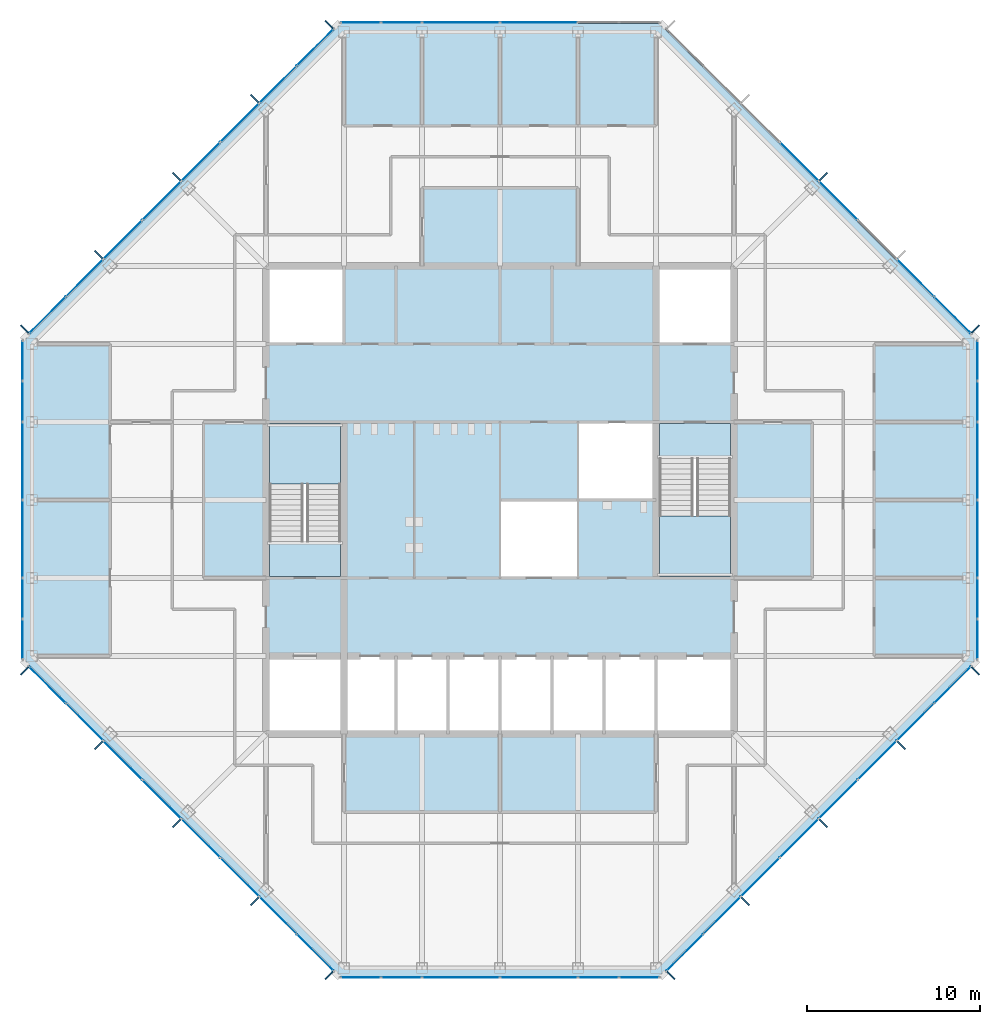
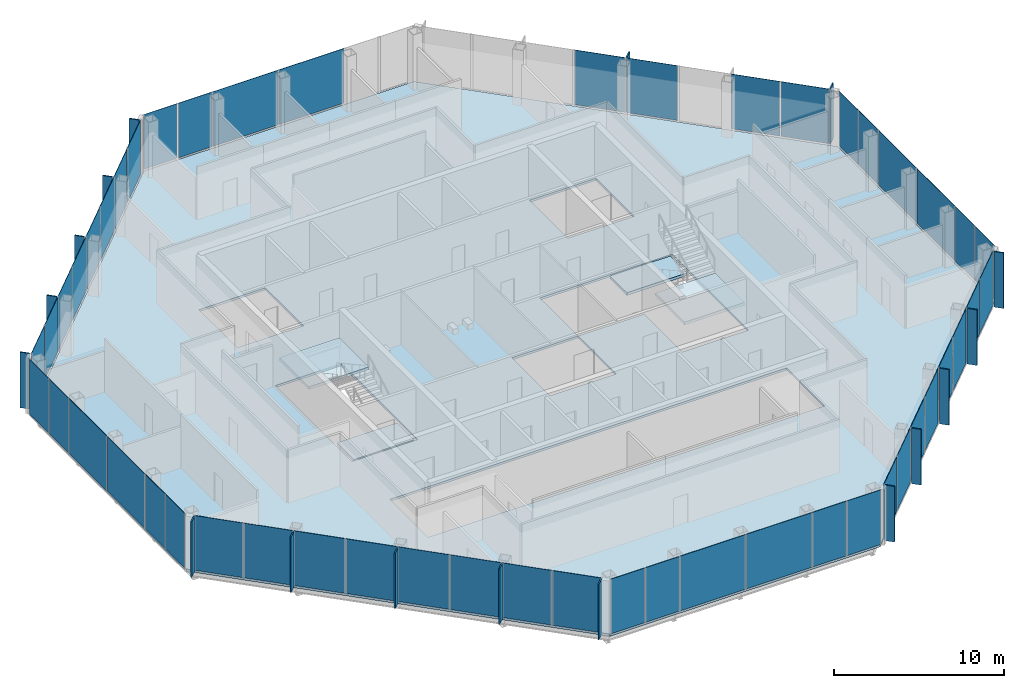
# One storey, part 8 of 14: 67 plates, 5 slabs, 10 elements without a shape of their own.
"""IFC4 building model written with IfcOpenShell, lengths in metres."""

from ifc_helpers import new_model, si_unit, direction, frame, origin, origin_2d, place, context, subcontext, project, spatial, polyline, rectangle, outline, extrude, material, layer, layer_set, type_object, element, aggregate, save


model = new_model("IFC4")

# Units and contexts
model_context = context("Model", 3, precision=1e-05, world=origin(), true_north=direction((0.0, 1.0)))
body_context = subcontext(model_context, "Body", "Model", "MODEL_VIEW")
ifc_project = project(units=[si_unit("LENGTHUNIT", "METRE"), si_unit("AREAUNIT", "SQUARE_METRE"), si_unit("VOLUMEUNIT", "CUBIC_METRE"), si_unit("PLANEANGLEUNIT", "RADIAN"), si_unit("MASSUNIT", "GRAM", prefix="KILO")], contexts=[model_context])

# Site, building, storey
site_placement = place(None, origin())
site = spatial("IfcSite", under=ifc_project, at=site_placement, CompositionType="ELEMENT")
building_placement = place(site_placement, origin())
building = spatial("IfcBuilding", under=site, at=building_placement, Name="Corais Broadcast Tower", CompositionType="ELEMENT")
storey_placement = place(building_placement, frame((0.0, 0.0, 218.60009765625)))
storey = spatial("IfcBuildingStorey", under=building, at=storey_placement, Name="L50", CompositionType="ELEMENT", Elevation=218.60009765625)

# Slab
ifc_material_1 = material(Name="Concrete C30/37", Category="concrete")
ifc_layer_1 = layer(ifc_material_1, 0.159912109375)
ifc_layer_set_1 = layer_set([ifc_layer_1], Name="Concrete C30/37")
slab_type_1 = type_object("IfcSlabType", Name="Composite floor slab 160", PredefinedType="FLOOR", material=ifc_layer_set_1)
slab_1_placement = place(storey_placement, frame((0.0, 0.0, -0.16015625)))
element("IfcSlab", 1, at=slab_1_placement, inside=storey, type_object=slab_type_1, Name="S160 floor slab L50", PredefinedType="FLOOR", context=body_context, shape_type="SweptSolid", body=[
    extrude(outline(polyline([(17.80126953125, -0.47998046875), (-0.47998046875, 17.80126953125), (-0.47998046875, 36.19873046875), (17.80126953125, 54.47998046875), (36.19873046875, 54.47998046875), (54.47998046875, 36.19873046875), (54.47998046875, 17.80126953125), (36.19873046875, -0.47998046875), (17.80126953125, -0.47998046875)]), holes=[polyline([(13.5, 18.0), (40.5, 18.0), (40.5, 13.5), (13.5, 13.5), (13.5, 18.0)]), polyline([(18.0, 22.5), (13.5, 22.5), (13.5, 31.5), (18.0, 31.5), (18.0, 22.5)]), polyline([(18.0, 36.0), (13.5, 36.0), (13.5, 40.5), (18.0, 40.5), (18.0, 36.0)]), polyline([(31.5, 22.5), (27.0, 22.5), (27.0, 27.0), (31.4951171875, 27.0), (31.4951171875, 27.0048828125), (31.5, 27.0048828125), (31.5, 31.5), (40.5, 31.5), (40.5, 22.5), (36.0, 22.5), (36.0, 27.0), (31.5048828125, 27.0), (31.5048828125, 26.9951171875), (31.5, 26.9951171875), (31.5, 22.5)]), polyline([(40.5, 36.0), (36.0, 36.0), (36.0, 40.5), (40.5, 40.5), (40.5, 36.0)])]), origin(), (0.0, 0.0, 1.0), 0.16015625),
])

# Curtain wall, plates
ifc_material_2 = material(Name="Aluminium and glass", Category="aluminium")
curtain_wall_type = type_object("IfcCurtainWallType", Name="Unitised fritted curtain wall CW3", PredefinedType="NOTDEFINED", material=ifc_material_2)
curtain_wall_1_placement = place(storey_placement, origin())
curtain_wall_1 = element("IfcCurtainWall", 2, at=curtain_wall_1_placement, inside=storey, type_object=curtain_wall_type, Name="CW3 curtain wall L50 1", PredefinedType="NOTDEFINED")
ifc_material_3 = material(Name="Ceramic-fritted laminated glass", Category="glass")
ifc_layer_2 = layer(ifc_material_3, 0.02587890625)
ifc_layer_set_2 = layer_set([ifc_layer_2], Name="Ceramic-fritted laminated glass")
plate_type_1 = type_object("IfcPlateType", Name="Fritted glass panel CW3", PredefinedType="CURTAIN_PANEL", material=ifc_layer_set_2)
plate_1_placement = place(storey_placement, frame((16.330322265625, 0.891845703125, 0.06494140625), z_axis=(0.0, 0.0, 1.0), x_axis=(-0.707106781187, 0.707106781187, 0.0)))
plate_1 = element("IfcPlate", 3, at=plate_1_placement, type_object=plate_type_1, Name="CW3 panel 1", PredefinedType="CURTAIN_PANEL", context=body_context, shape_type="SweptSolid", body=[
    extrude(rectangle(XDim=2.9482421875, YDim=0.02587890625, at=origin_2d()), origin(), (0.0, 0.0, 1.0), 3.93505859375),
])
plate_2_placement = place(storey_placement, frame((11.986083984375, 5.236083984375, 0.06494140625), z_axis=(0.0, 0.0, 1.0), x_axis=(-0.707106781187, 0.707106781187, 0.0)))
plate_2 = element("IfcPlate", 4, at=plate_2_placement, type_object=plate_type_1, Name="CW3 panel 3", PredefinedType="CURTAIN_PANEL", context=body_context, shape_type="SweptSolid", body=[
    extrude(rectangle(XDim=3.116943359375, YDim=0.02587890625, at=origin_2d()), origin(), (0.0, 0.0, 1.0), 3.93505859375),
])
plate_3_placement = place(storey_placement, frame((7.486083984375, 9.736083984375, 0.06494140625), z_axis=(0.0, 0.0, 1.0), x_axis=(-0.707106781187, 0.707106781187, 0.0)))
plate_3 = element("IfcPlate", 5, at=plate_3_placement, type_object=plate_type_1, Name="CW3 panel 5", PredefinedType="CURTAIN_PANEL", context=body_context, shape_type="SweptSolid", body=[
    extrude(rectangle(XDim=3.116943359375, YDim=0.02587890625, at=origin_2d()), origin(), (0.0, 0.0, 1.0), 3.93505859375),
])
plate_4_placement = place(storey_placement, frame((3.0341796875, 14.18798828125, 0.06494140625), z_axis=(0.0, 0.0, 1.0), x_axis=(-0.707106781187, 0.707106781187, 0.0)))
plate_4 = element("IfcPlate", 6, at=plate_4_placement, type_object=plate_type_1, Name="CW3 panel 7", PredefinedType="CURTAIN_PANEL", context=body_context, shape_type="SweptSolid", body=[
    extrude(rectangle(XDim=2.98095703125, YDim=0.02587890625, at=origin_2d()), origin(), (0.0, 0.0, 1.0), 3.93505859375),
])

curtain_wall_2_placement = place(storey_placement, origin())
curtain_wall_2 = element("IfcCurtainWall", 7, at=curtain_wall_2_placement, inside=storey, type_object=curtain_wall_type, Name="CW3 curtain wall L50 2", PredefinedType="NOTDEFINED")
plate_5_placement = place(storey_placement, frame((-0.550048828125, 18.970458984375, 0.06494140625), z_axis=(0.0, 0.0, 1.0), x_axis=(0.0, 1.0, 0.0)))
plate_5 = element("IfcPlate", 8, at=plate_5_placement, type_object=plate_type_1, Name="CW3 panel 1", PredefinedType="CURTAIN_PANEL", context=body_context, shape_type="SweptSolid", body=[
    extrude(rectangle(XDim=2.266357421875, YDim=0.02587890625, at=origin_2d()), origin(), (0.0, 0.0, 1.0), 3.93505859375),
])
plate_6_placement = place(storey_placement, frame((-0.550048828125, 24.75, 0.06494140625), z_axis=(0.0, 0.0, 1.0), x_axis=(0.0, 1.0, 0.0)))
plate_6 = element("IfcPlate", 9, at=plate_6_placement, type_object=plate_type_1, Name="CW3 panel 3", PredefinedType="CURTAIN_PANEL", context=body_context, shape_type="SweptSolid", body=[
    extrude(rectangle(XDim=4.43505859375, YDim=0.02587890625, at=origin_2d()), origin(), (0.0, 0.0, 1.0), 3.93505859375),
])
plate_7_placement = place(storey_placement, frame((-0.550048828125, 32.681884765625, 0.06494140625), z_axis=(0.0, 0.0, 1.0), x_axis=(0.0, 1.0, 0.0)))
plate_7 = element("IfcPlate", 10, at=plate_7_placement, type_object=plate_type_1, Name="CW3 panel 5", PredefinedType="CURTAIN_PANEL", context=body_context, shape_type="SweptSolid", body=[
    extrude(rectangle(XDim=2.298828125, YDim=0.02587890625, at=origin_2d()), origin(), (0.0, 0.0, 1.0), 3.93505859375),
])

curtain_wall_3_placement = place(storey_placement, origin())
curtain_wall_3 = element("IfcCurtainWall", 11, at=curtain_wall_3_placement, inside=storey, type_object=curtain_wall_type, Name="CW3 curtain wall L50 3", PredefinedType="NOTDEFINED")
plate_8_placement = place(storey_placement, frame((0.891845703125, 37.669677734375, 0.06494140625), z_axis=(0.0, 0.0, 1.0), x_axis=(0.707106781187, 0.707106781187, 0.0)))
plate_8 = element("IfcPlate", 12, at=plate_8_placement, type_object=plate_type_1, Name="CW3 panel 1", PredefinedType="CURTAIN_PANEL", context=body_context, shape_type="SweptSolid", body=[
    extrude(rectangle(XDim=2.9482421875, YDim=0.02587890625, at=origin_2d()), origin(), (0.0, 0.0, 1.0), 3.93505859375),
])
plate_9_placement = place(storey_placement, frame((5.236083984375, 42.013916015625, 0.06494140625), z_axis=(0.0, 0.0, 1.0), x_axis=(0.707106781187, 0.707106781187, 0.0)))
plate_9 = element("IfcPlate", 13, at=plate_9_placement, type_object=plate_type_1, Name="CW3 panel 3", PredefinedType="CURTAIN_PANEL", context=body_context, shape_type="SweptSolid", body=[
    extrude(rectangle(XDim=3.116943359375, YDim=0.02587890625, at=origin_2d()), origin(), (0.0, 0.0, 1.0), 3.93505859375),
])
plate_10_placement = place(storey_placement, frame((9.736083984375, 46.513916015625, 0.06494140625), z_axis=(0.0, 0.0, 1.0), x_axis=(0.707106781187, 0.707106781187, 0.0)))
plate_10 = element("IfcPlate", 14, at=plate_10_placement, type_object=plate_type_1, Name="CW3 panel 5", PredefinedType="CURTAIN_PANEL", context=body_context, shape_type="SweptSolid", body=[
    extrude(rectangle(XDim=3.116943359375, YDim=0.02587890625, at=origin_2d()), origin(), (0.0, 0.0, 1.0), 3.93505859375),
])
plate_11_placement = place(storey_placement, frame((14.18798828125, 50.9658203125, 0.06494140625), z_axis=(0.0, 0.0, 1.0), x_axis=(0.707106781187, 0.707106781187, 0.0)))
plate_11 = element("IfcPlate", 15, at=plate_11_placement, type_object=plate_type_1, Name="CW3 panel 7", PredefinedType="CURTAIN_PANEL", context=body_context, shape_type="SweptSolid", body=[
    extrude(rectangle(XDim=2.98095703125, YDim=0.02587890625, at=origin_2d()), origin(), (0.0, 0.0, 1.0), 3.93505859375),
])

curtain_wall_4_placement = place(storey_placement, origin())
curtain_wall_4 = element("IfcCurtainWall", 16, at=curtain_wall_4_placement, inside=storey, type_object=curtain_wall_type, Name="CW3 curtain wall L50 4", PredefinedType="NOTDEFINED")
plate_12_placement = place(storey_placement, frame((18.970458984375, 54.550048828125, 0.06494140625), z_axis=(0.0, 0.0, 1.0), x_axis=(1.0, 0.0, 0.0)))
plate_12 = element("IfcPlate", 17, at=plate_12_placement, type_object=plate_type_1, Name="CW3 panel 1", PredefinedType="CURTAIN_PANEL", context=body_context, shape_type="SweptSolid", body=[
    extrude(rectangle(XDim=2.266357421875, YDim=0.02587890625, at=origin_2d()), origin(), (0.0, 0.0, 1.0), 3.93505859375),
])
plate_13_placement = place(storey_placement, frame((24.75, 54.550048828125, 0.06494140625), z_axis=(0.0, 0.0, 1.0), x_axis=(1.0, 0.0, 0.0)))
plate_13 = element("IfcPlate", 18, at=plate_13_placement, type_object=plate_type_1, Name="CW3 panel 3", PredefinedType="CURTAIN_PANEL", context=body_context, shape_type="SweptSolid", body=[
    extrude(rectangle(XDim=4.43505859375, YDim=0.02587890625, at=origin_2d()), origin(), (0.0, 0.0, 1.0), 3.93505859375),
])

curtain_wall_5_placement = place(storey_placement, origin())
curtain_wall_5 = element("IfcCurtainWall", 19, at=curtain_wall_5_placement, inside=storey, type_object=curtain_wall_type, Name="CW3 curtain wall L50 5", PredefinedType="NOTDEFINED")
plate_14_placement = place(storey_placement, frame((46.513916015625, 44.263916015625, 0.06494140625), z_axis=(0.0, 0.0, 1.0), x_axis=(0.707106781187, -0.707106781187, 0.0)))
plate_14 = element("IfcPlate", 20, at=plate_14_placement, type_object=plate_type_1, Name="CW3 panel 5", PredefinedType="CURTAIN_PANEL", context=body_context, shape_type="SweptSolid", body=[
    extrude(rectangle(XDim=3.116943359375, YDim=0.02587890625, at=origin_2d()), origin(), (0.0, 0.0, 1.0), 3.93505859375),
])
plate_15_placement = place(storey_placement, frame((50.9658203125, 39.81201171875, 0.06494140625), z_axis=(0.0, 0.0, 1.0), x_axis=(0.707106781187, -0.707106781187, 0.0)))
plate_15 = element("IfcPlate", 21, at=plate_15_placement, type_object=plate_type_1, Name="CW3 panel 7", PredefinedType="CURTAIN_PANEL", context=body_context, shape_type="SweptSolid", body=[
    extrude(rectangle(XDim=2.98095703125, YDim=0.02587890625, at=origin_2d()), origin(), (0.0, 0.0, 1.0), 3.93505859375),
])

curtain_wall_6_placement = place(storey_placement, origin())
curtain_wall_6 = element("IfcCurtainWall", 22, at=curtain_wall_6_placement, inside=storey, type_object=curtain_wall_type, Name="CW3 curtain wall L50 6", PredefinedType="NOTDEFINED")
plate_16_placement = place(storey_placement, frame((54.550048828125, 35.029541015625, 0.06494140625), z_axis=(0.0, 0.0, 1.0), x_axis=(0.0, -1.0, 0.0)))
plate_16 = element("IfcPlate", 23, at=plate_16_placement, type_object=plate_type_1, Name="CW3 panel 1", PredefinedType="CURTAIN_PANEL", context=body_context, shape_type="SweptSolid", body=[
    extrude(rectangle(XDim=2.266357421875, YDim=0.02587890625, at=origin_2d()), origin(), (0.0, 0.0, 1.0), 3.93505859375),
])
plate_17_placement = place(storey_placement, frame((54.550048828125, 29.25, 0.06494140625), z_axis=(0.0, 0.0, 1.0), x_axis=(0.0, -1.0, 0.0)))
plate_17 = element("IfcPlate", 24, at=plate_17_placement, type_object=plate_type_1, Name="CW3 panel 3", PredefinedType="CURTAIN_PANEL", context=body_context, shape_type="SweptSolid", body=[
    extrude(rectangle(XDim=4.43505859375, YDim=0.02587890625, at=origin_2d()), origin(), (0.0, 0.0, 1.0), 3.93505859375),
])
plate_18_placement = place(storey_placement, frame((54.550048828125, 21.318115234375, 0.06494140625), z_axis=(0.0, 0.0, 1.0), x_axis=(0.0, -1.0, 0.0)))
plate_18 = element("IfcPlate", 25, at=plate_18_placement, type_object=plate_type_1, Name="CW3 panel 5", PredefinedType="CURTAIN_PANEL", context=body_context, shape_type="SweptSolid", body=[
    extrude(rectangle(XDim=2.298828125, YDim=0.02587890625, at=origin_2d()), origin(), (0.0, 0.0, 1.0), 3.93505859375),
])

curtain_wall_7_placement = place(storey_placement, origin())
curtain_wall_7 = element("IfcCurtainWall", 26, at=curtain_wall_7_placement, inside=storey, type_object=curtain_wall_type, Name="CW3 curtain wall L50 7", PredefinedType="NOTDEFINED")
plate_19_placement = place(storey_placement, frame((53.108154296875, 16.330322265625, 0.06494140625), z_axis=(0.0, 0.0, 1.0), x_axis=(-0.707106781187, -0.707106781187, 0.0)))
plate_19 = element("IfcPlate", 27, at=plate_19_placement, type_object=plate_type_1, Name="CW3 panel 1", PredefinedType="CURTAIN_PANEL", context=body_context, shape_type="SweptSolid", body=[
    extrude(rectangle(XDim=2.9482421875, YDim=0.02587890625, at=origin_2d()), origin(), (0.0, 0.0, 1.0), 3.93505859375),
])
plate_20_placement = place(storey_placement, frame((48.763916015625, 11.986083984375, 0.06494140625), z_axis=(0.0, 0.0, 1.0), x_axis=(-0.707106781187, -0.707106781187, 0.0)))
plate_20 = element("IfcPlate", 28, at=plate_20_placement, type_object=plate_type_1, Name="CW3 panel 3", PredefinedType="CURTAIN_PANEL", context=body_context, shape_type="SweptSolid", body=[
    extrude(rectangle(XDim=3.116943359375, YDim=0.02587890625, at=origin_2d()), origin(), (0.0, 0.0, 1.0), 3.93505859375),
])
plate_21_placement = place(storey_placement, frame((44.263916015625, 7.486083984375, 0.06494140625), z_axis=(0.0, 0.0, 1.0), x_axis=(-0.707106781187, -0.707106781187, 0.0)))
plate_21 = element("IfcPlate", 29, at=plate_21_placement, type_object=plate_type_1, Name="CW3 panel 5", PredefinedType="CURTAIN_PANEL", context=body_context, shape_type="SweptSolid", body=[
    extrude(rectangle(XDim=3.116943359375, YDim=0.02587890625, at=origin_2d()), origin(), (0.0, 0.0, 1.0), 3.93505859375),
])
plate_22_placement = place(storey_placement, frame((39.81201171875, 3.0341796875, 0.06494140625), z_axis=(0.0, 0.0, 1.0), x_axis=(-0.707106781187, -0.707106781187, 0.0)))
plate_22 = element("IfcPlate", 30, at=plate_22_placement, type_object=plate_type_1, Name="CW3 panel 7", PredefinedType="CURTAIN_PANEL", context=body_context, shape_type="SweptSolid", body=[
    extrude(rectangle(XDim=2.98095703125, YDim=0.02587890625, at=origin_2d()), origin(), (0.0, 0.0, 1.0), 3.93505859375),
])

curtain_wall_8_placement = place(storey_placement, origin())
curtain_wall_8 = element("IfcCurtainWall", 31, at=curtain_wall_8_placement, inside=storey, type_object=curtain_wall_type, Name="CW3 curtain wall L50 8", PredefinedType="NOTDEFINED")
plate_23_placement = place(storey_placement, frame((35.029541015625, -0.550048828125, 0.06494140625), z_axis=(0.0, 0.0, 1.0), x_axis=(-1.0, 0.0, 0.0)))
plate_23 = element("IfcPlate", 32, at=plate_23_placement, type_object=plate_type_1, Name="CW3 panel 1", PredefinedType="CURTAIN_PANEL", context=body_context, shape_type="SweptSolid", body=[
    extrude(rectangle(XDim=2.266357421875, YDim=0.02587890625, at=origin_2d()), origin(), (0.0, 0.0, 1.0), 3.93505859375),
])
plate_24_placement = place(storey_placement, frame((29.25, -0.550048828125, 0.06494140625), z_axis=(0.0, 0.0, 1.0), x_axis=(-1.0, 0.0, 0.0)))
plate_24 = element("IfcPlate", 33, at=plate_24_placement, type_object=plate_type_1, Name="CW3 panel 3", PredefinedType="CURTAIN_PANEL", context=body_context, shape_type="SweptSolid", body=[
    extrude(rectangle(XDim=4.43505859375, YDim=0.02587890625, at=origin_2d()), origin(), (0.0, 0.0, 1.0), 3.93505859375),
])
plate_25_placement = place(storey_placement, frame((21.318115234375, -0.550048828125, 0.06494140625), z_axis=(0.0, 0.0, 1.0), x_axis=(-1.0, 0.0, 0.0)))
plate_25 = element("IfcPlate", 34, at=plate_25_placement, type_object=plate_type_1, Name="CW3 panel 5", PredefinedType="CURTAIN_PANEL", context=body_context, shape_type="SweptSolid", body=[
    extrude(rectangle(XDim=2.298828125, YDim=0.02587890625, at=origin_2d()), origin(), (0.0, 0.0, 1.0), 3.93505859375),
])

# Plate
ifc_material_4 = material(Name="Clear laminated glass", Category="glass")
ifc_layer_3 = layer(ifc_material_4, 0.030029296875)
ifc_layer_set_3 = layer_set([ifc_layer_3], Name="Clear laminated glass")
plate_type_2 = type_object("IfcPlateType", Name="Operable glass panel CW3", PredefinedType="CURTAIN_PANEL", material=ifc_layer_set_3)
plate_26_placement = place(storey_placement, frame((14.18798828125, 3.0341796875, 0.06494140625), z_axis=(0.0, 0.0, 1.0), x_axis=(-0.707106781187, 0.707106781187, 0.0)))
plate_26 = element("IfcPlate", 35, at=plate_26_placement, type_object=plate_type_2, Name="CW3 operable panel 2", PredefinedType="CURTAIN_PANEL", context=body_context, shape_type="SweptSolid", body=[
    extrude(rectangle(XDim=2.98095703125, YDim=0.030029296875, at=origin_2d()), origin(), (0.0, 0.0, 1.0), 3.93505859375),
])

plate_27_placement = place(storey_placement, frame((9.736083984375, 7.486083984375, 0.06494140625), z_axis=(0.0, 0.0, 1.0), x_axis=(-0.707106781187, 0.707106781187, 0.0)))
plate_27 = element("IfcPlate", 36, at=plate_27_placement, type_object=plate_type_2, Name="CW3 operable panel 4", PredefinedType="CURTAIN_PANEL", context=body_context, shape_type="SweptSolid", body=[
    extrude(rectangle(XDim=3.116943359375, YDim=0.030029296875, at=origin_2d()), origin(), (0.0, 0.0, 1.0), 3.93505859375),
])

plate_28_placement = place(storey_placement, frame((5.236083984375, 11.986083984375, 0.06494140625), z_axis=(0.0, 0.0, 1.0), x_axis=(-0.707106781187, 0.707106781187, 0.0)))
plate_28 = element("IfcPlate", 37, at=plate_28_placement, type_object=plate_type_2, Name="CW3 operable panel 6", PredefinedType="CURTAIN_PANEL", context=body_context, shape_type="SweptSolid", body=[
    extrude(rectangle(XDim=3.116943359375, YDim=0.030029296875, at=origin_2d()), origin(), (0.0, 0.0, 1.0), 3.93505859375),
])

plate_29_placement = place(storey_placement, frame((0.89208984375, 16.330322265625, 0.06494140625), z_axis=(0.0, 0.0, 1.0), x_axis=(-0.707106781187, 0.707106781187, 0.0)))
plate_29 = element("IfcPlate", 38, at=plate_29_placement, type_object=plate_type_2, Name="CW3 operable panel 8", PredefinedType="CURTAIN_PANEL", context=body_context, shape_type="SweptSolid", body=[
    extrude(rectangle(XDim=2.948486328125, YDim=0.030029296875, at=origin_2d()), origin(), (0.0, 0.0, 1.0), 3.93505859375),
])

aggregate(curtain_wall_1, [plate_1, plate_26, plate_2, plate_27, plate_3, plate_28, plate_4, plate_29])

plate_30_placement = place(storey_placement, frame((-0.550048828125, 21.318115234375, 0.06494140625), z_axis=(0.0, 0.0, 1.0), x_axis=(0.0, 1.0, 0.0)))
plate_30 = element("IfcPlate", 39, at=plate_30_placement, type_object=plate_type_2, Name="CW3 operable panel 2", PredefinedType="CURTAIN_PANEL", context=body_context, shape_type="SweptSolid", body=[
    extrude(rectangle(XDim=2.298828125, YDim=0.030029296875, at=origin_2d()), origin(), (0.0, 0.0, 1.0), 3.93505859375),
])

plate_31_placement = place(storey_placement, frame((-0.550048828125, 29.25, 0.06494140625), z_axis=(0.0, 0.0, 1.0), x_axis=(0.0, 1.0, 0.0)))
plate_31 = element("IfcPlate", 40, at=plate_31_placement, type_object=plate_type_2, Name="CW3 operable panel 4", PredefinedType="CURTAIN_PANEL", context=body_context, shape_type="SweptSolid", body=[
    extrude(rectangle(XDim=4.43505859375, YDim=0.030029296875, at=origin_2d()), origin(), (0.0, 0.0, 1.0), 3.93505859375),
])

plate_32_placement = place(storey_placement, frame((-0.550048828125, 35.029541015625, 0.06494140625), z_axis=(0.0, 0.0, 1.0), x_axis=(0.0, 1.0, 0.0)))
plate_32 = element("IfcPlate", 41, at=plate_32_placement, type_object=plate_type_2, Name="CW3 operable panel 6", PredefinedType="CURTAIN_PANEL", context=body_context, shape_type="SweptSolid", body=[
    extrude(rectangle(XDim=2.266357421875, YDim=0.030029296875, at=origin_2d()), origin(), (0.0, 0.0, 1.0), 3.93505859375),
])

aggregate(curtain_wall_2, [plate_5, plate_30, plate_6, plate_31, plate_7, plate_32])

plate_33_placement = place(storey_placement, frame((3.0341796875, 39.81201171875, 0.06494140625), z_axis=(0.0, 0.0, 1.0), x_axis=(0.707106781187, 0.707106781187, 0.0)))
plate_33 = element("IfcPlate", 42, at=plate_33_placement, type_object=plate_type_2, Name="CW3 operable panel 2", PredefinedType="CURTAIN_PANEL", context=body_context, shape_type="SweptSolid", body=[
    extrude(rectangle(XDim=2.98095703125, YDim=0.030029296875, at=origin_2d()), origin(), (0.0, 0.0, 1.0), 3.93505859375),
])

plate_34_placement = place(storey_placement, frame((7.486083984375, 44.263916015625, 0.06494140625), z_axis=(0.0, 0.0, 1.0), x_axis=(0.707106781187, 0.707106781187, 0.0)))
plate_34 = element("IfcPlate", 43, at=plate_34_placement, type_object=plate_type_2, Name="CW3 operable panel 4", PredefinedType="CURTAIN_PANEL", context=body_context, shape_type="SweptSolid", body=[
    extrude(rectangle(XDim=3.116943359375, YDim=0.030029296875, at=origin_2d()), origin(), (0.0, 0.0, 1.0), 3.93505859375),
])

plate_35_placement = place(storey_placement, frame((11.986083984375, 48.763916015625, 0.06494140625), z_axis=(0.0, 0.0, 1.0), x_axis=(0.707106781187, 0.707106781187, 0.0)))
plate_35 = element("IfcPlate", 44, at=plate_35_placement, type_object=plate_type_2, Name="CW3 operable panel 6", PredefinedType="CURTAIN_PANEL", context=body_context, shape_type="SweptSolid", body=[
    extrude(rectangle(XDim=3.116943359375, YDim=0.030029296875, at=origin_2d()), origin(), (0.0, 0.0, 1.0), 3.93505859375),
])

plate_36_placement = place(storey_placement, frame((16.330322265625, 53.10791015625, 0.06494140625), z_axis=(0.0, 0.0, 1.0), x_axis=(0.707106781187, 0.707106781187, 0.0)))
plate_36 = element("IfcPlate", 45, at=plate_36_placement, type_object=plate_type_2, Name="CW3 operable panel 8", PredefinedType="CURTAIN_PANEL", context=body_context, shape_type="SweptSolid", body=[
    extrude(rectangle(XDim=2.948486328125, YDim=0.030029296875, at=origin_2d()), origin(), (0.0, 0.0, 1.0), 3.93505859375),
])

aggregate(curtain_wall_3, [plate_8, plate_33, plate_9, plate_34, plate_10, plate_35, plate_11, plate_36])

plate_37_placement = place(storey_placement, frame((21.318115234375, 54.550048828125, 0.06494140625), z_axis=(0.0, 0.0, 1.0), x_axis=(1.0, 0.0, 0.0)))
plate_37 = element("IfcPlate", 46, at=plate_37_placement, type_object=plate_type_2, Name="CW3 operable panel 2", PredefinedType="CURTAIN_PANEL", context=body_context, shape_type="SweptSolid", body=[
    extrude(rectangle(XDim=2.298828125, YDim=0.030029296875, at=origin_2d()), origin(), (0.0, 0.0, 1.0), 3.93505859375),
])

plate_38_placement = place(storey_placement, frame((29.25, 54.550048828125, 0.06494140625), z_axis=(0.0, 0.0, 1.0), x_axis=(1.0, 0.0, 0.0)))
plate_38 = element("IfcPlate", 47, at=plate_38_placement, type_object=plate_type_2, Name="CW3 operable panel 4", PredefinedType="CURTAIN_PANEL", context=body_context, shape_type="SweptSolid", body=[
    extrude(rectangle(XDim=4.43505859375, YDim=0.030029296875, at=origin_2d()), origin(), (0.0, 0.0, 1.0), 3.93505859375),
])

aggregate(curtain_wall_4, [plate_12, plate_37, plate_13, plate_38])

plate_39_placement = place(storey_placement, frame((44.263916015625, 46.513916015625, 0.06494140625), z_axis=(0.0, 0.0, 1.0), x_axis=(0.707106781187, -0.707106781187, 0.0)))
plate_39 = element("IfcPlate", 48, at=plate_39_placement, type_object=plate_type_2, Name="CW3 operable panel 4", PredefinedType="CURTAIN_PANEL", context=body_context, shape_type="SweptSolid", body=[
    extrude(rectangle(XDim=3.116943359375, YDim=0.030029296875, at=origin_2d()), origin(), (0.0, 0.0, 1.0), 3.93505859375),
])

plate_40_placement = place(storey_placement, frame((53.10791015625, 37.669677734375, 0.06494140625), z_axis=(0.0, 0.0, 1.0), x_axis=(0.707106781187, -0.707106781187, 0.0)))
plate_40 = element("IfcPlate", 49, at=plate_40_placement, type_object=plate_type_2, Name="CW3 operable panel 8", PredefinedType="CURTAIN_PANEL", context=body_context, shape_type="SweptSolid", body=[
    extrude(rectangle(XDim=2.948486328125, YDim=0.030029296875, at=origin_2d()), origin(), (0.0, 0.0, 1.0), 3.93505859375),
])

aggregate(curtain_wall_5, [plate_39, plate_14, plate_15, plate_40])

plate_41_placement = place(storey_placement, frame((54.550048828125, 32.681884765625, 0.06494140625), z_axis=(0.0, 0.0, 1.0), x_axis=(0.0, -1.0, 0.0)))
plate_41 = element("IfcPlate", 50, at=plate_41_placement, type_object=plate_type_2, Name="CW3 operable panel 2", PredefinedType="CURTAIN_PANEL", context=body_context, shape_type="SweptSolid", body=[
    extrude(rectangle(XDim=2.298828125, YDim=0.030029296875, at=origin_2d()), origin(), (0.0, 0.0, 1.0), 3.93505859375),
])

plate_42_placement = place(storey_placement, frame((54.550048828125, 24.75, 0.06494140625), z_axis=(0.0, 0.0, 1.0), x_axis=(0.0, -1.0, 0.0)))
plate_42 = element("IfcPlate", 51, at=plate_42_placement, type_object=plate_type_2, Name="CW3 operable panel 4", PredefinedType="CURTAIN_PANEL", context=body_context, shape_type="SweptSolid", body=[
    extrude(rectangle(XDim=4.43505859375, YDim=0.030029296875, at=origin_2d()), origin(), (0.0, 0.0, 1.0), 3.93505859375),
])

plate_43_placement = place(storey_placement, frame((54.550048828125, 18.970458984375, 0.06494140625), z_axis=(0.0, 0.0, 1.0), x_axis=(0.0, -1.0, 0.0)))
plate_43 = element("IfcPlate", 52, at=plate_43_placement, type_object=plate_type_2, Name="CW3 operable panel 6", PredefinedType="CURTAIN_PANEL", context=body_context, shape_type="SweptSolid", body=[
    extrude(rectangle(XDim=2.266357421875, YDim=0.030029296875, at=origin_2d()), origin(), (0.0, 0.0, 1.0), 3.93505859375),
])

aggregate(curtain_wall_6, [plate_16, plate_41, plate_17, plate_42, plate_18, plate_43])

plate_44_placement = place(storey_placement, frame((50.9658203125, 14.18798828125, 0.06494140625), z_axis=(0.0, 0.0, 1.0), x_axis=(-0.707106781187, -0.707106781187, 0.0)))
plate_44 = element("IfcPlate", 53, at=plate_44_placement, type_object=plate_type_2, Name="CW3 operable panel 2", PredefinedType="CURTAIN_PANEL", context=body_context, shape_type="SweptSolid", body=[
    extrude(rectangle(XDim=2.98095703125, YDim=0.030029296875, at=origin_2d()), origin(), (0.0, 0.0, 1.0), 3.93505859375),
])

plate_45_placement = place(storey_placement, frame((46.513916015625, 9.736083984375, 0.06494140625), z_axis=(0.0, 0.0, 1.0), x_axis=(-0.707106781187, -0.707106781187, 0.0)))
plate_45 = element("IfcPlate", 54, at=plate_45_placement, type_object=plate_type_2, Name="CW3 operable panel 4", PredefinedType="CURTAIN_PANEL", context=body_context, shape_type="SweptSolid", body=[
    extrude(rectangle(XDim=3.116943359375, YDim=0.030029296875, at=origin_2d()), origin(), (0.0, 0.0, 1.0), 3.93505859375),
])

plate_46_placement = place(storey_placement, frame((42.013916015625, 5.236083984375, 0.06494140625), z_axis=(0.0, 0.0, 1.0), x_axis=(-0.707106781187, -0.707106781187, 0.0)))
plate_46 = element("IfcPlate", 55, at=plate_46_placement, type_object=plate_type_2, Name="CW3 operable panel 6", PredefinedType="CURTAIN_PANEL", context=body_context, shape_type="SweptSolid", body=[
    extrude(rectangle(XDim=3.116943359375, YDim=0.030029296875, at=origin_2d()), origin(), (0.0, 0.0, 1.0), 3.93505859375),
])

plate_47_placement = place(storey_placement, frame((37.669677734375, 0.89208984375, 0.06494140625), z_axis=(0.0, 0.0, 1.0), x_axis=(-0.707106781187, -0.707106781187, 0.0)))
plate_47 = element("IfcPlate", 56, at=plate_47_placement, type_object=plate_type_2, Name="CW3 operable panel 8", PredefinedType="CURTAIN_PANEL", context=body_context, shape_type="SweptSolid", body=[
    extrude(rectangle(XDim=2.948486328125, YDim=0.030029296875, at=origin_2d()), origin(), (0.0, 0.0, 1.0), 3.93505859375),
])

aggregate(curtain_wall_7, [plate_19, plate_44, plate_20, plate_45, plate_21, plate_46, plate_22, plate_47])

plate_48_placement = place(storey_placement, frame((32.681884765625, -0.550048828125, 0.06494140625), z_axis=(0.0, 0.0, 1.0), x_axis=(-1.0, 0.0, 0.0)))
plate_48 = element("IfcPlate", 57, at=plate_48_placement, type_object=plate_type_2, Name="CW3 operable panel 2", PredefinedType="CURTAIN_PANEL", context=body_context, shape_type="SweptSolid", body=[
    extrude(rectangle(XDim=2.298828125, YDim=0.030029296875, at=origin_2d()), origin(), (0.0, 0.0, 1.0), 3.93505859375),
])

plate_49_placement = place(storey_placement, frame((24.75, -0.550048828125, 0.06494140625), z_axis=(0.0, 0.0, 1.0), x_axis=(-1.0, 0.0, 0.0)))
plate_49 = element("IfcPlate", 58, at=plate_49_placement, type_object=plate_type_2, Name="CW3 operable panel 4", PredefinedType="CURTAIN_PANEL", context=body_context, shape_type="SweptSolid", body=[
    extrude(rectangle(XDim=4.43505859375, YDim=0.030029296875, at=origin_2d()), origin(), (0.0, 0.0, 1.0), 3.93505859375),
])

plate_50_placement = place(storey_placement, frame((18.970458984375, -0.550048828125, 0.06494140625), z_axis=(0.0, 0.0, 1.0), x_axis=(-1.0, 0.0, 0.0)))
plate_50 = element("IfcPlate", 59, at=plate_50_placement, type_object=plate_type_2, Name="CW3 operable panel 6", PredefinedType="CURTAIN_PANEL", context=body_context, shape_type="SweptSolid", body=[
    extrude(rectangle(XDim=2.266357421875, YDim=0.030029296875, at=origin_2d()), origin(), (0.0, 0.0, 1.0), 3.93505859375),
])

aggregate(curtain_wall_8, [plate_23, plate_48, plate_24, plate_49, plate_25, plate_50])

# Stair, slabs
ifc_material_5 = material(Name="Concrete C30/37", Category="concrete")
stair_type = type_object("IfcStairType", Name="Half-turn stair 4000", PredefinedType="HALF_TURN_STAIR", material=ifc_material_5)
stair_1_placement = place(storey_placement, origin())
stair_1 = element("IfcStair", 60, at=stair_1_placement, inside=storey, type_object=stair_type, Name="Stair A L50", PredefinedType="HALF_TURN_STAIR")
ifc_material_6 = material(Name="Concrete C30/37", Category="concrete")
ifc_layer_4 = layer(ifc_material_6, 0.199951171875)
ifc_layer_set_4 = layer_set([ifc_layer_4], Name="Concrete C30/37")
slab_type_2 = type_object("IfcSlabType", Name="Stair landing 200", PredefinedType="LANDING", material=ifc_layer_set_4)
slab_2_placement = place(storey_placement, frame((0.0, 0.0, -0.2001953125)))
slab_2 = element("IfcSlab", 61, at=slab_2_placement, type_object=slab_type_2, Name="STA landing 1", PredefinedType="LANDING", context=body_context, shape_type="SweptSolid", body=[
    extrude(outline(polyline([(13.699951171875, 22.60009765625), (17.800048828125, 22.60009765625), (17.800048828125, 24.60009765625), (13.699951171875, 24.60009765625), (13.699951171875, 22.60009765625)])), origin(), (0.0, 0.0, 1.0), 0.2001953125),
])
slab_3_placement = place(storey_placement, frame((0.0, 0.0, 1.7998046875)))
slab_3 = element("IfcSlab", 62, at=slab_3_placement, type_object=slab_type_2, Name="STA landing 2", PredefinedType="LANDING", context=body_context, shape_type="SweptSolid", body=[
    extrude(outline(polyline([(13.699951171875, 27.922119140625), (17.800048828125, 27.922119140625), (17.800048828125, 31.39990234375), (13.699951171875, 31.39990234375), (13.699951171875, 27.922119140625)])), origin(), (0.0, 0.0, 1.0), 0.2001953125),
])
aggregate(stair_1, [slab_2, slab_3])

stair_2_placement = place(storey_placement, origin())
stair_2 = element("IfcStair", 63, at=stair_2_placement, inside=storey, type_object=stair_type, Name="Stair B L50", PredefinedType="HALF_TURN_STAIR")
slab_4_placement = place(storey_placement, frame((0.0, 0.0, -0.2001953125)))
slab_4 = element("IfcSlab", 64, at=slab_4_placement, type_object=slab_type_2, Name="STB landing 1", PredefinedType="LANDING", context=body_context, shape_type="SweptSolid", body=[
    extrude(outline(polyline([(36.199951171875, 29.39990234375), (40.300048828125, 29.39990234375), (40.300048828125, 31.39990234375), (36.199951171875, 31.39990234375), (36.199951171875, 29.39990234375)])), origin(), (0.0, 0.0, 1.0), 0.2001953125),
])
slab_5_placement = place(storey_placement, frame((0.0, 0.0, 1.7998046875)))
slab_5 = element("IfcSlab", 65, at=slab_5_placement, type_object=slab_type_2, Name="STB landing 2", PredefinedType="LANDING", context=body_context, shape_type="SweptSolid", body=[
    extrude(outline(polyline([(36.199951171875, 22.60009765625), (40.300048828125, 22.60009765625), (40.300048828125, 26.077880859375), (36.199951171875, 26.077880859375), (36.199951171875, 22.60009765625)])), origin(), (0.0, 0.0, 1.0), 0.2001953125),
])
aggregate(stair_2, [slab_4, slab_5])

# Plates
ifc_material_7 = material(Name="Granite stone cladding", Category="masonry")
ifc_layer_5 = layer(ifc_material_7, 0.080078125)
ifc_layer_set_5 = layer_set([ifc_layer_5], Name="Granite stone cladding")
plate_type_3 = type_object("IfcPlateType", Name="Stone screen fin 80x600", PredefinedType="USERDEFINED", material=ifc_layer_set_5)
for number, where, z_axis, x_axis, name in (
    (66, (17.129150390625, -0.43994140625, 0.0), (0.0, 0.0, 1.0), (-0.707106781187, 0.707106781187, 0.0), "SF1 stone screen fin L50"),
    (67, (12.844482421875, 3.844482421875, 0.0), (0.0, 0.0, 1.0), (-0.707106781187, 0.707106781187, 0.0), "SF1 stone screen fin L50"),
    (68, (8.344482421875, 8.344482421875, 0.0), (0.0, 0.0, 1.0), (-0.707106781187, 0.707106781187, 0.0), "SF1 stone screen fin L50"),
    (69, (3.844482421875, 12.844482421875, 0.0), (0.0, 0.0, 1.0), (-0.707106781187, 0.707106781187, 0.0), "SF1 stone screen fin L50"),
    (70, (-0.43994140625, 17.129150390625, 0.0), (0.0, 0.0, 1.0), (-0.707106781187, 0.707106781187, 0.0), "SF1 stone screen fin L50"),
    (71, (-0.43994140625, 36.870849609375, 0.0), (0.0, 0.0, 1.0), (0.707106781187, 0.707106781187, 0.0), "SF1 stone screen fin L50"),
    (72, (3.844482421875, 41.155517578125, 0.0), (0.0, 0.0, 1.0), (0.707106781187, 0.707106781187, 0.0), "SF1 stone screen fin L50"),
    (73, (8.344482421875, 45.655517578125, 0.0), (0.0, 0.0, 1.0), (0.707106781187, 0.707106781187, 0.0), "SF1 stone screen fin L50"),
    (74, (12.844482421875, 50.155517578125, 0.0), (0.0, 0.0, 1.0), (0.707106781187, 0.707106781187, 0.0), "SF1 stone screen fin L50"),
    (75, (17.129150390625, 54.43994140625, 0.0), (0.0, 0.0, 1.0), (0.707106781187, 0.707106781187, 0.0), "SF1 stone screen fin L50"),
    (76, (45.655517578125, 45.655517578125, 0.0), (0.0, 0.0, 1.0), (0.707106781187, -0.707106781187, 0.0), "SF1 stone screen fin L50"),
    (77, (54.43994140625, 36.870849609375, 0.0), (0.0, 0.0, 1.0), (0.707106781187, -0.707106781187, 0.0), "SF1 stone screen fin L50"),
    (78, (54.43994140625, 17.129150390625, 0.0), (0.0, 0.0, 1.0), (-0.707106781187, -0.707106781187, 0.0), "SF1 stone screen fin L50"),
    (79, (50.155517578125, 12.844482421875, 0.0), (0.0, 0.0, 1.0), (-0.707106781187, -0.707106781187, 0.0), "SF1 stone screen fin L50"),
    (80, (45.655517578125, 8.344482421875, 0.0), (0.0, 0.0, 1.0), (-0.707106781187, -0.707106781187, 0.0), "SF1 stone screen fin L50"),
    (81, (41.155517578125, 3.844482421875, 0.0), (0.0, 0.0, 1.0), (-0.707106781187, -0.707106781187, 0.0), "SF1 stone screen fin L50"),
    (82, (36.870849609375, -0.43994140625, 0.0), (0.0, 0.0, 1.0), (-0.707106781187, -0.707106781187, 0.0), "SF1 stone screen fin L50"),
):
    element("IfcPlate", number, at=place(storey_placement, frame(where, z_axis=z_axis, x_axis=x_axis)), inside=storey, type_object=plate_type_3, Name=name, ObjectType="STONE SCREEN FIN", PredefinedType="USERDEFINED", context=body_context, shape_type="SweptSolid", body=[
        extrude(rectangle(XDim=0.080078125, YDim=0.60009765625, at=origin_2d()), origin(), (0.0, 0.0, 1.0), 4.0),
    ])

save(model, "model.ifc")
